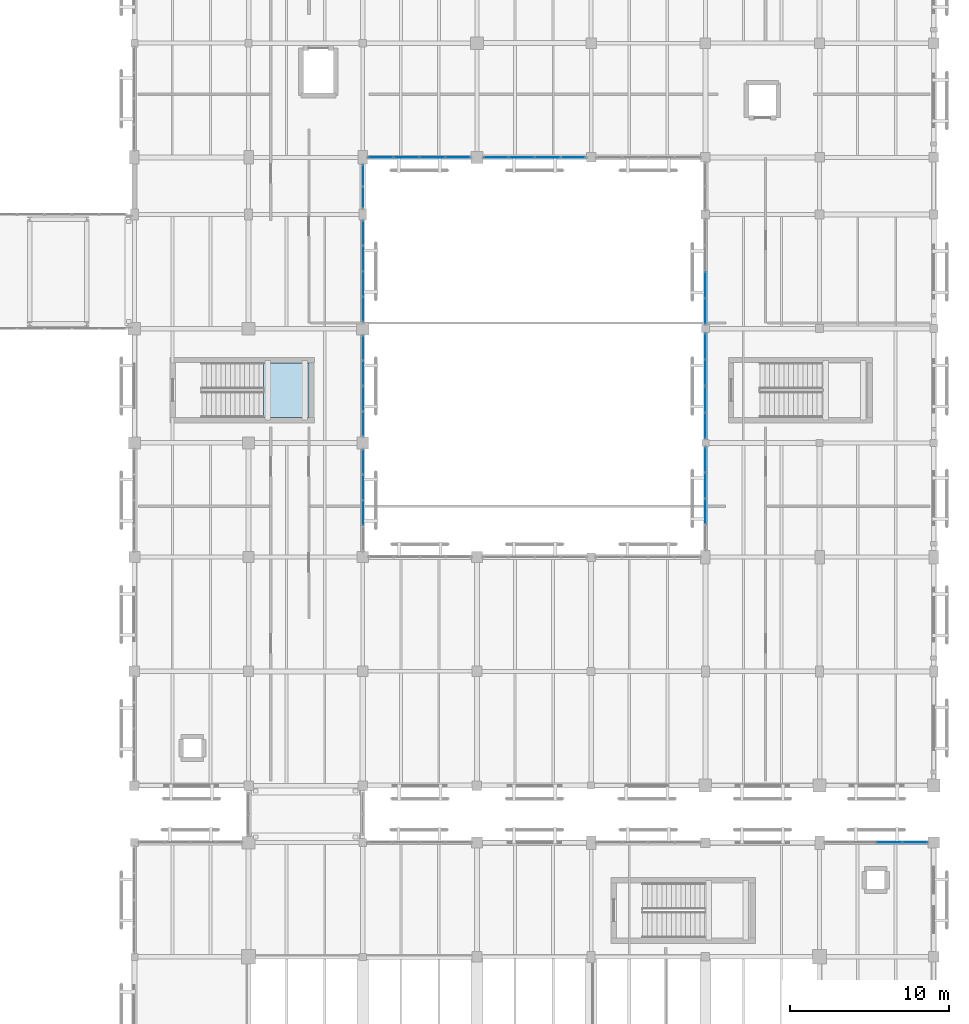
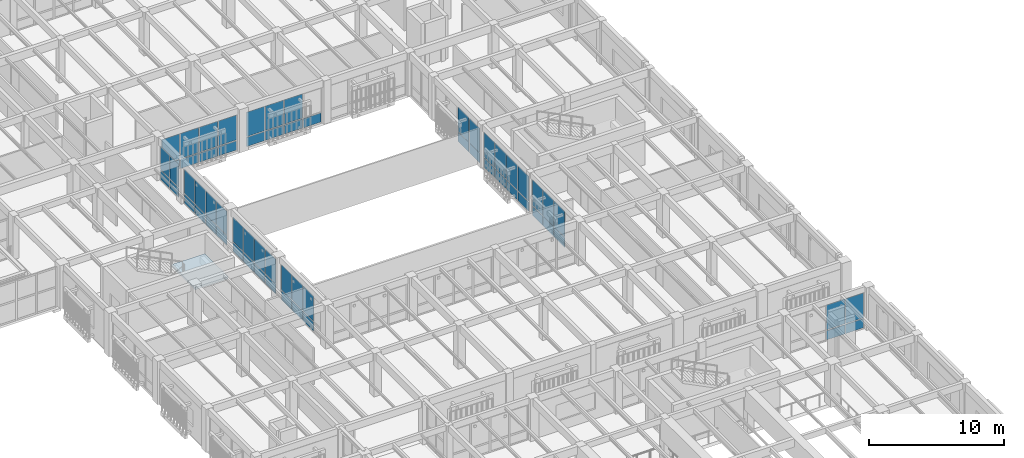
# One storey, part 126 of 170: 63 plates, 1 slab, 11 elements without a shape of their own.
"""IFC4 building model written with IfcOpenShell, lengths in metres."""

from ifc_helpers import new_model, si_unit, direction, frame, origin, origin_2d, place, context, subcontext, project, spatial, polyline, rectangle, outline, extrude, material, layer, layer_set, type_object, element, aggregate, save


model = new_model("IFC4")

# Units and contexts
model_context = context("Model", 3, precision=1e-05, world=origin(), true_north=direction((0.0, 1.0)))
body_context = subcontext(model_context, "Body", "Model", "MODEL_VIEW")
ifc_project = project(units=[si_unit("LENGTHUNIT", "METRE"), si_unit("AREAUNIT", "SQUARE_METRE"), si_unit("VOLUMEUNIT", "CUBIC_METRE"), si_unit("PLANEANGLEUNIT", "RADIAN"), si_unit("MASSUNIT", "GRAM", prefix="KILO")], contexts=[model_context])

# Site, building, storey
site_placement = place(None, origin())
site = spatial("IfcSite", under=ifc_project, at=site_placement, CompositionType="ELEMENT")
building_placement = place(site_placement, origin())
building = spatial("IfcBuilding", under=site, at=building_placement, Name="Mazaris Harbour Polytechnic", CompositionType="ELEMENT")
storey_placement = place(building_placement, frame((0.0, 0.0, 5.39990234375)))
storey = spatial("IfcBuildingStorey", under=building, at=storey_placement, Name="L01", CompositionType="ELEMENT", Elevation=5.39990234375)

# Curtain wall, plates
ifc_material_1 = material(Name="Anodised Bronze Aluminium and Low-E Glass", Category="aluminium")
ifc_layer_1 = layer(ifc_material_1, 0.159912109375, Name="Anodised Bronze Aluminium and Low-E Glass")
ifc_layer_set_1 = layer_set([ifc_layer_1], Name="Anodised Bronze Aluminium and Low-E Glass")
curtain_wall_type_1 = type_object("IfcCurtainWallType", Name="Cloister Court Curtain Wall", PredefinedType="NOTDEFINED", material=ifc_layer_set_1)
curtain_wall_1_placement = place(storey_placement, origin())
curtain_wall_1 = element("IfcCurtainWall", 1, at=curtain_wall_1_placement, inside=storey, type_object=curtain_wall_type_1, Name="V2 L01 Curtain Wall 46", PredefinedType="NOTDEFINED")
ifc_material_2 = material(Name="Low-E Double Glazing", Category="glass")
ifc_layer_2 = layer(ifc_material_2, 0.028076171875, Name="Low-E Double Glazing")
ifc_layer_set_2 = layer_set([ifc_layer_2], Name="Low-E Double Glazing")
plate_type_1 = type_object("IfcPlateType", Name="Low-E Vision Glass Panel 28", PredefinedType="CURTAIN_PANEL", material=ifc_layer_set_2)
plate_1_placement = place(storey_placement, frame((169.995849609375, 43.199951171875, 0.080078125), z_axis=(0.0, 0.0, 1.0), x_axis=(1.0, 0.0, 0.0)))
plate_1 = element("IfcPlate", 2, at=plate_1_placement, type_object=plate_type_1, Name="CW-02 panel 3.1", PredefinedType="CURTAIN_PANEL", context=body_context, shape_type="SweptSolid", body=[
    extrude(rectangle(XDim=1.5615234375, YDim=0.028076171875, at=origin_2d()), origin(), (0.0, 0.0, 1.0), 0.830078125),
])
plate_2_placement = place(storey_placement, frame((169.995849609375, 43.199951171875, 0.989990234375), z_axis=(0.0, 0.0, 1.0), x_axis=(1.0, 0.0, 0.0)))
plate_2 = element("IfcPlate", 3, at=plate_2_placement, type_object=plate_type_1, Name="CW-02 panel 3.2", PredefinedType="CURTAIN_PANEL", context=body_context, shape_type="SweptSolid", body=[
    extrude(rectangle(XDim=1.5615234375, YDim=0.028076171875, at=origin_2d()), origin(), (0.0, 0.0, 1.0), 2.25),
])
plate_3_placement = place(storey_placement, frame((171.6171875, 43.199951171875, 0.080078125), z_axis=(0.0, 0.0, 1.0), x_axis=(1.0, 0.0, 0.0)))
plate_3 = element("IfcPlate", 4, at=plate_3_placement, type_object=plate_type_1, Name="CW-02 panel 4.1", PredefinedType="CURTAIN_PANEL", context=body_context, shape_type="SweptSolid", body=[
    extrude(rectangle(XDim=1.521484375, YDim=0.028076171875, at=origin_2d()), origin(), (0.0, 0.0, 1.0), 0.830078125),
])
plate_4_placement = place(storey_placement, frame((171.6171875, 43.199951171875, 0.989990234375), z_axis=(0.0, 0.0, 1.0), x_axis=(1.0, 0.0, 0.0)))
plate_4 = element("IfcPlate", 5, at=plate_4_placement, type_object=plate_type_1, Name="CW-02 panel 4.2", PredefinedType="CURTAIN_PANEL", context=body_context, shape_type="SweptSolid", body=[
    extrude(rectangle(XDim=1.521484375, YDim=0.028076171875, at=origin_2d()), origin(), (0.0, 0.0, 1.0), 2.25),
])
aggregate(curtain_wall_1, [plate_1, plate_2, plate_3, plate_4])

# Stair, slab
ifc_material_3 = material(Name="Concrete C40/50", Category="concrete")
stair_type = type_object("IfcStairType", Name="Core Exit Stair H4200", PredefinedType="HALF_TURN_STAIR", material=ifc_material_3)
stair_placement = place(storey_placement, origin())
stair = element("IfcStair", 6, at=stair_placement, inside=storey, type_object=stair_type, Name="L01 ST09", PredefinedType="HALF_TURN_STAIR")
ifc_material_4 = material(Name="Concrete C40/50", Category="concrete")
ifc_layer_3 = layer(ifc_material_4, 0.199951171875, Name="Concrete C40/50")
ifc_layer_set_3 = layer_set([ifc_layer_3], Name="Concrete C40/50")
slab_type = type_object("IfcSlabType", Name="RC Stair Landing 200", PredefinedType="LANDING", material=ifc_layer_set_3)
slab_placement = place(storey_placement, frame((0.0, 0.0, 1.900146484375)))
slab = element("IfcSlab", 7, at=slab_placement, type_object=slab_type, Name="ST09 landing 1", PredefinedType="LANDING", context=body_context, shape_type="SweptSolid", body=[
    extrude(outline(polyline([(130.550048828125, 70.0), (133.39990234375, 70.0), (133.39990234375, 73.449951171875), (130.550048828125, 73.449951171875), (130.550048828125, 70.0)])), origin(), (0.0, 0.0, 1.0), 0.199951171875),
])
aggregate(stair, [slab])

# Curtain wall, plates
ifc_material_5 = material(Name="Anodised Bronze Aluminium and Low-E Glass", Category="aluminium")
ifc_layer_4 = layer(ifc_material_5, 0.169921875, Name="Anodised Bronze Aluminium and Low-E Glass")
ifc_layer_set_4 = layer_set([ifc_layer_4], Name="Anodised Bronze Aluminium and Low-E Glass")
curtain_wall_type_2 = type_object("IfcCurtainWallType", Name="Studio North-Light Curtain Wall", PredefinedType="NOTDEFINED", material=ifc_layer_set_4)
curtain_wall_2_placement = place(storey_placement, origin())
curtain_wall_2 = element("IfcCurtainWall", 8, at=curtain_wall_2_placement, inside=storey, type_object=curtain_wall_type_2, Name="V5 L01 Curtain Wall 216", PredefinedType="NOTDEFINED")
ifc_material_6 = material(Name="Solar-Control Low-E Glazing", Category="glass")
ifc_layer_5 = layer(ifc_material_6, 0.031982421875, Name="Solar-Control Low-E Glazing")
ifc_layer_set_5 = layer_set([ifc_layer_5], Name="Solar-Control Low-E Glazing")
plate_type_2 = type_object("IfcPlateType", Name="Solar Control Studio Glass Panel 32", PredefinedType="CURTAIN_PANEL", material=ifc_layer_set_5)
plate_5_placement = place(storey_placement, frame((142.79541015625, 86.39990234375, 0.080078125), z_axis=(0.0, 0.0, 1.0), x_axis=(-1.0, 0.0, 0.0)))
plate_5 = element("IfcPlate", 9, at=plate_5_placement, type_object=plate_type_2, Name="CW-03 panel 1.1", PredefinedType="CURTAIN_PANEL", context=body_context, shape_type="SweptSolid", body=[
    extrude(rectangle(XDim=1.51513671875, YDim=0.031982421875, at=origin_2d()), origin(), (0.0, 0.0, 1.0), 0.830078125),
])
plate_6_placement = place(storey_placement, frame((142.79541015625, 86.39990234375, 0.990234375), z_axis=(0.0, 0.0, 1.0), x_axis=(-1.0, 0.0, 0.0)))
plate_6 = element("IfcPlate", 10, at=plate_6_placement, type_object=plate_type_2, Name="CW-03 panel 1.2", PredefinedType="CURTAIN_PANEL", context=body_context, shape_type="SweptSolid", body=[
    extrude(rectangle(XDim=1.51513671875, YDim=0.031982421875, at=origin_2d()), origin(), (0.0, 0.0, 1.0), 2.260009765625),
])
plate_7_placement = place(storey_placement, frame((141.18017578125, 86.39990234375, 0.080078125), z_axis=(0.0, 0.0, 1.0), x_axis=(-1.0, 0.0, 0.0)))
plate_7 = element("IfcPlate", 11, at=plate_7_placement, type_object=plate_type_2, Name="CW-03 panel 2.1", PredefinedType="CURTAIN_PANEL", context=body_context, shape_type="SweptSolid", body=[
    extrude(rectangle(XDim=1.55517578125, YDim=0.031982421875, at=origin_2d()), origin(), (0.0, 0.0, 1.0), 0.830078125),
])
plate_8_placement = place(storey_placement, frame((141.18017578125, 86.39990234375, 0.990234375), z_axis=(0.0, 0.0, 1.0), x_axis=(-1.0, 0.0, 0.0)))
plate_8 = element("IfcPlate", 12, at=plate_8_placement, type_object=plate_type_2, Name="CW-03 panel 2.2", PredefinedType="CURTAIN_PANEL", context=body_context, shape_type="SweptSolid", body=[
    extrude(rectangle(XDim=1.55517578125, YDim=0.031982421875, at=origin_2d()), origin(), (0.0, 0.0, 1.0), 2.260009765625),
])
plate_9_placement = place(storey_placement, frame((139.544921875, 86.39990234375, 0.080078125), z_axis=(0.0, 0.0, 1.0), x_axis=(-1.0, 0.0, 0.0)))
plate_9 = element("IfcPlate", 13, at=plate_9_placement, type_object=plate_type_2, Name="CW-03 panel 3.1", PredefinedType="CURTAIN_PANEL", context=body_context, shape_type="SweptSolid", body=[
    extrude(rectangle(XDim=1.55517578125, YDim=0.031982421875, at=origin_2d()), origin(), (0.0, 0.0, 1.0), 0.830078125),
])
plate_10_placement = place(storey_placement, frame((139.544921875, 86.39990234375, 0.990234375), z_axis=(0.0, 0.0, 1.0), x_axis=(-1.0, 0.0, 0.0)))
plate_10 = element("IfcPlate", 14, at=plate_10_placement, type_object=plate_type_2, Name="CW-03 panel 3.2", PredefinedType="CURTAIN_PANEL", context=body_context, shape_type="SweptSolid", body=[
    extrude(rectangle(XDim=1.55517578125, YDim=0.031982421875, at=origin_2d()), origin(), (0.0, 0.0, 1.0), 2.260009765625),
])
plate_11_placement = place(storey_placement, frame((137.9296875, 86.39990234375, 0.080078125), z_axis=(0.0, 0.0, 1.0), x_axis=(-1.0, 0.0, 0.0)))
plate_11 = element("IfcPlate", 15, at=plate_11_placement, type_object=plate_type_2, Name="CW-03 panel 4.1", PredefinedType="CURTAIN_PANEL", context=body_context, shape_type="SweptSolid", body=[
    extrude(rectangle(XDim=1.51513671875, YDim=0.031982421875, at=origin_2d()), origin(), (0.0, 0.0, 1.0), 0.830078125),
])
plate_12_placement = place(storey_placement, frame((137.9296875, 86.39990234375, 0.990234375), z_axis=(0.0, 0.0, 1.0), x_axis=(-1.0, 0.0, 0.0)))
plate_12 = element("IfcPlate", 16, at=plate_12_placement, type_object=plate_type_2, Name="CW-03 panel 4.2", PredefinedType="CURTAIN_PANEL", context=body_context, shape_type="SweptSolid", body=[
    extrude(rectangle(XDim=1.51513671875, YDim=0.031982421875, at=origin_2d()), origin(), (0.0, 0.0, 1.0), 2.260009765625),
])
aggregate(curtain_wall_2, [plate_5, plate_6, plate_7, plate_8, plate_9, plate_10, plate_11, plate_12])

curtain_wall_3_placement = place(storey_placement, origin())
curtain_wall_3 = element("IfcCurtainWall", 17, at=curtain_wall_3_placement, inside=storey, type_object=curtain_wall_type_2, Name="V5 L01 Curtain Wall 217", PredefinedType="NOTDEFINED")
plate_13_placement = place(storey_placement, frame((150.0703125, 86.39990234375, 0.080078125), z_axis=(0.0, 0.0, 1.0), x_axis=(-1.0, 0.0, 0.0)))
plate_13 = element("IfcPlate", 18, at=plate_13_placement, type_object=plate_type_2, Name="CW-03 panel 1.1", PredefinedType="CURTAIN_PANEL", context=body_context, shape_type="SweptSolid", body=[
    extrude(rectangle(XDim=1.51513671875, YDim=0.031982421875, at=origin_2d()), origin(), (0.0, 0.0, 1.0), 0.830078125),
])
plate_14_placement = place(storey_placement, frame((148.455078125, 86.39990234375, 0.080078125), z_axis=(0.0, 0.0, 1.0), x_axis=(-1.0, 0.0, 0.0)))
plate_14 = element("IfcPlate", 19, at=plate_14_placement, type_object=plate_type_2, Name="CW-03 panel 2.1", PredefinedType="CURTAIN_PANEL", context=body_context, shape_type="SweptSolid", body=[
    extrude(rectangle(XDim=1.55517578125, YDim=0.031982421875, at=origin_2d()), origin(), (0.0, 0.0, 1.0), 0.830078125),
])
plate_15_placement = place(storey_placement, frame((148.455078125, 86.39990234375, 0.990234375), z_axis=(0.0, 0.0, 1.0), x_axis=(-1.0, 0.0, 0.0)))
plate_15 = element("IfcPlate", 20, at=plate_15_placement, type_object=plate_type_2, Name="CW-03 panel 2.2", PredefinedType="CURTAIN_PANEL", context=body_context, shape_type="SweptSolid", body=[
    extrude(rectangle(XDim=1.55517578125, YDim=0.031982421875, at=origin_2d()), origin(), (0.0, 0.0, 1.0), 2.199951171875),
])
plate_16_placement = place(storey_placement, frame((146.81982421875, 86.39990234375, 0.080078125), z_axis=(0.0, 0.0, 1.0), x_axis=(-1.0, 0.0, 0.0)))
plate_16 = element("IfcPlate", 21, at=plate_16_placement, type_object=plate_type_2, Name="CW-03 panel 3.1", PredefinedType="CURTAIN_PANEL", context=body_context, shape_type="SweptSolid", body=[
    extrude(rectangle(XDim=1.55517578125, YDim=0.031982421875, at=origin_2d()), origin(), (0.0, 0.0, 1.0), 0.830078125),
])
plate_17_placement = place(storey_placement, frame((146.81982421875, 86.39990234375, 0.990234375), z_axis=(0.0, 0.0, 1.0), x_axis=(-1.0, 0.0, 0.0)))
plate_17 = element("IfcPlate", 22, at=plate_17_placement, type_object=plate_type_2, Name="CW-03 panel 3.2", PredefinedType="CURTAIN_PANEL", context=body_context, shape_type="SweptSolid", body=[
    extrude(rectangle(XDim=1.55517578125, YDim=0.031982421875, at=origin_2d()), origin(), (0.0, 0.0, 1.0), 2.199951171875),
])
plate_18_placement = place(storey_placement, frame((145.20458984375, 86.39990234375, 0.080078125), z_axis=(0.0, 0.0, 1.0), x_axis=(-1.0, 0.0, 0.0)))
plate_18 = element("IfcPlate", 23, at=plate_18_placement, type_object=plate_type_2, Name="CW-03 panel 4.1", PredefinedType="CURTAIN_PANEL", context=body_context, shape_type="SweptSolid", body=[
    extrude(rectangle(XDim=1.51513671875, YDim=0.031982421875, at=origin_2d()), origin(), (0.0, 0.0, 1.0), 0.830078125),
])
plate_19_placement = place(storey_placement, frame((145.20458984375, 86.39990234375, 0.990234375), z_axis=(0.0, 0.0, 1.0), x_axis=(-1.0, 0.0, 0.0)))
plate_19 = element("IfcPlate", 24, at=plate_19_placement, type_object=plate_type_2, Name="CW-03 panel 4.2", PredefinedType="CURTAIN_PANEL", context=body_context, shape_type="SweptSolid", body=[
    extrude(rectangle(XDim=1.51513671875, YDim=0.031982421875, at=origin_2d()), origin(), (0.0, 0.0, 1.0), 2.199951171875),
])
aggregate(curtain_wall_3, [plate_13, plate_14, plate_15, plate_16, plate_17, plate_18, plate_19])

curtain_wall_4_placement = place(storey_placement, origin())
curtain_wall_4 = element("IfcCurtainWall", 25, at=curtain_wall_4_placement, inside=storey, type_object=curtain_wall_type_2, Name="V5 L01 Curtain Wall 219", PredefinedType="NOTDEFINED")
plate_20_placement = place(storey_placement, frame((136.800048828125, 63.97607421875, 0.080078125), z_axis=(0.0, 0.0, 1.0), x_axis=(0.0, 1.0, 0.0)))
plate_20 = element("IfcPlate", 26, at=plate_20_placement, type_object=plate_type_2, Name="CW-03 panel 2.1", PredefinedType="CURTAIN_PANEL", context=body_context, shape_type="SweptSolid", body=[
    extrude(rectangle(XDim=1.542724609375, YDim=0.031982421875, at=origin_2d()), origin(), (0.0, 0.0, 1.0), 0.830078125),
])
plate_21_placement = place(storey_placement, frame((136.800048828125, 63.97607421875, 0.990234375), z_axis=(0.0, 0.0, 1.0), x_axis=(0.0, 1.0, 0.0)))
plate_21 = element("IfcPlate", 27, at=plate_21_placement, type_object=plate_type_2, Name="CW-03 panel 2.2", PredefinedType="CURTAIN_PANEL", context=body_context, shape_type="SweptSolid", body=[
    extrude(rectangle(XDim=1.542724609375, YDim=0.031982421875, at=origin_2d()), origin(), (0.0, 0.0, 1.0), 2.260009765625),
])
plate_22_placement = place(storey_placement, frame((136.800048828125, 65.598876953125, 0.080078125), z_axis=(0.0, 0.0, 1.0), x_axis=(0.0, 1.0, 0.0)))
plate_22 = element("IfcPlate", 28, at=plate_22_placement, type_object=plate_type_2, Name="CW-03 panel 3.1", PredefinedType="CURTAIN_PANEL", context=body_context, shape_type="SweptSolid", body=[
    extrude(rectangle(XDim=1.542724609375, YDim=0.031982421875, at=origin_2d()), origin(), (0.0, 0.0, 1.0), 0.830078125),
])
plate_23_placement = place(storey_placement, frame((136.800048828125, 65.598876953125, 0.990234375), z_axis=(0.0, 0.0, 1.0), x_axis=(0.0, 1.0, 0.0)))
plate_23 = element("IfcPlate", 29, at=plate_23_placement, type_object=plate_type_2, Name="CW-03 panel 3.2", PredefinedType="CURTAIN_PANEL", context=body_context, shape_type="SweptSolid", body=[
    extrude(rectangle(XDim=1.542724609375, YDim=0.031982421875, at=origin_2d()), origin(), (0.0, 0.0, 1.0), 2.260009765625),
])
plate_24_placement = place(storey_placement, frame((136.800048828125, 67.20166015625, 0.080078125), z_axis=(0.0, 0.0, 1.0), x_axis=(0.0, 1.0, 0.0)))
plate_24 = element("IfcPlate", 30, at=plate_24_placement, type_object=plate_type_2, Name="CW-03 panel 4.1", PredefinedType="CURTAIN_PANEL", context=body_context, shape_type="SweptSolid", body=[
    extrude(rectangle(XDim=1.502685546875, YDim=0.031982421875, at=origin_2d()), origin(), (0.0, 0.0, 1.0), 0.830078125),
])
plate_25_placement = place(storey_placement, frame((136.800048828125, 67.20166015625, 0.990234375), z_axis=(0.0, 0.0, 1.0), x_axis=(0.0, 1.0, 0.0)))
plate_25 = element("IfcPlate", 31, at=plate_25_placement, type_object=plate_type_2, Name="CW-03 panel 4.2", PredefinedType="CURTAIN_PANEL", context=body_context, shape_type="SweptSolid", body=[
    extrude(rectangle(XDim=1.502685546875, YDim=0.031982421875, at=origin_2d()), origin(), (0.0, 0.0, 1.0), 2.260009765625),
])
aggregate(curtain_wall_4, [plate_20, plate_21, plate_22, plate_23, plate_24, plate_25])

curtain_wall_5_placement = place(storey_placement, origin())
curtain_wall_5 = element("IfcCurtainWall", 32, at=curtain_wall_5_placement, inside=storey, type_object=curtain_wall_type_2, Name="V5 L01 Curtain Wall 220", PredefinedType="NOTDEFINED")
plate_26_placement = place(storey_placement, frame((136.800048828125, 69.592041015625, 0.080078125), z_axis=(0.0, 0.0, 1.0), x_axis=(0.0, 1.0, 0.0)))
plate_26 = element("IfcPlate", 33, at=plate_26_placement, type_object=plate_type_2, Name="CW-03 panel 1.1", PredefinedType="CURTAIN_PANEL", context=body_context, shape_type="SweptSolid", body=[
    extrude(rectangle(XDim=1.490234375, YDim=0.031982421875, at=origin_2d()), origin(), (0.0, 0.0, 1.0), 0.830078125),
])
plate_27_placement = place(storey_placement, frame((136.800048828125, 69.592041015625, 0.990234375), z_axis=(0.0, 0.0, 1.0), x_axis=(0.0, 1.0, 0.0)))
plate_27 = element("IfcPlate", 34, at=plate_27_placement, type_object=plate_type_2, Name="CW-03 panel 1.2", PredefinedType="CURTAIN_PANEL", context=body_context, shape_type="SweptSolid", body=[
    extrude(rectangle(XDim=1.490234375, YDim=0.031982421875, at=origin_2d()), origin(), (0.0, 0.0, 1.0), 2.199951171875),
])
plate_28_placement = place(storey_placement, frame((136.800048828125, 71.182373046875, 0.080078125), z_axis=(0.0, 0.0, 1.0), x_axis=(0.0, 1.0, 0.0)))
plate_28 = element("IfcPlate", 35, at=plate_28_placement, type_object=plate_type_2, Name="CW-03 panel 2.1", PredefinedType="CURTAIN_PANEL", context=body_context, shape_type="SweptSolid", body=[
    extrude(rectangle(XDim=1.5302734375, YDim=0.031982421875, at=origin_2d()), origin(), (0.0, 0.0, 1.0), 0.830078125),
])
plate_29_placement = place(storey_placement, frame((136.800048828125, 71.182373046875, 0.990234375), z_axis=(0.0, 0.0, 1.0), x_axis=(0.0, 1.0, 0.0)))
plate_29 = element("IfcPlate", 36, at=plate_29_placement, type_object=plate_type_2, Name="CW-03 panel 2.2", PredefinedType="CURTAIN_PANEL", context=body_context, shape_type="SweptSolid", body=[
    extrude(rectangle(XDim=1.5302734375, YDim=0.031982421875, at=origin_2d()), origin(), (0.0, 0.0, 1.0), 2.199951171875),
])
plate_30_placement = place(storey_placement, frame((136.800048828125, 72.792724609375, 0.080078125), z_axis=(0.0, 0.0, 1.0), x_axis=(0.0, 1.0, 0.0)))
plate_30 = element("IfcPlate", 37, at=plate_30_placement, type_object=plate_type_2, Name="CW-03 panel 3.1", PredefinedType="CURTAIN_PANEL", context=body_context, shape_type="SweptSolid", body=[
    extrude(rectangle(XDim=1.5302734375, YDim=0.031982421875, at=origin_2d()), origin(), (0.0, 0.0, 1.0), 0.830078125),
])
plate_31_placement = place(storey_placement, frame((136.800048828125, 72.792724609375, 0.990234375), z_axis=(0.0, 0.0, 1.0), x_axis=(0.0, 1.0, 0.0)))
plate_31 = element("IfcPlate", 38, at=plate_31_placement, type_object=plate_type_2, Name="CW-03 panel 3.2", PredefinedType="CURTAIN_PANEL", context=body_context, shape_type="SweptSolid", body=[
    extrude(rectangle(XDim=1.5302734375, YDim=0.031982421875, at=origin_2d()), origin(), (0.0, 0.0, 1.0), 2.199951171875),
])
plate_32_placement = place(storey_placement, frame((136.800048828125, 74.3828125, 0.080078125), z_axis=(0.0, 0.0, 1.0), x_axis=(0.0, 1.0, 0.0)))
plate_32 = element("IfcPlate", 39, at=plate_32_placement, type_object=plate_type_2, Name="CW-03 panel 4.1", PredefinedType="CURTAIN_PANEL", context=body_context, shape_type="SweptSolid", body=[
    extrude(rectangle(XDim=1.490234375, YDim=0.031982421875, at=origin_2d()), origin(), (0.0, 0.0, 1.0), 0.830078125),
])
plate_33_placement = place(storey_placement, frame((136.800048828125, 74.3828125, 0.990234375), z_axis=(0.0, 0.0, 1.0), x_axis=(0.0, 1.0, 0.0)))
plate_33 = element("IfcPlate", 40, at=plate_33_placement, type_object=plate_type_2, Name="CW-03 panel 4.2", PredefinedType="CURTAIN_PANEL", context=body_context, shape_type="SweptSolid", body=[
    extrude(rectangle(XDim=1.490234375, YDim=0.031982421875, at=origin_2d()), origin(), (0.0, 0.0, 1.0), 2.199951171875),
])
aggregate(curtain_wall_5, [plate_26, plate_27, plate_28, plate_29, plate_30, plate_31, plate_32, plate_33])

curtain_wall_6_placement = place(storey_placement, origin())
curtain_wall_6 = element("IfcCurtainWall", 41, at=curtain_wall_6_placement, inside=storey, type_object=curtain_wall_type_2, Name="V5 L01 Curtain Wall 221", PredefinedType="NOTDEFINED")
plate_34_placement = place(storey_placement, frame((136.800048828125, 76.8203125, 0.080078125), z_axis=(0.0, 0.0, 1.0), x_axis=(0.0, 1.0, 0.0)))
plate_34 = element("IfcPlate", 42, at=plate_34_placement, type_object=plate_type_2, Name="CW-03 panel 1.1", PredefinedType="CURTAIN_PANEL", context=body_context, shape_type="SweptSolid", body=[
    extrude(rectangle(XDim=1.49658203125, YDim=0.031982421875, at=origin_2d()), origin(), (0.0, 0.0, 1.0), 0.830078125),
])
plate_35_placement = place(storey_placement, frame((136.800048828125, 76.8203125, 0.990234375), z_axis=(0.0, 0.0, 1.0), x_axis=(0.0, 1.0, 0.0)))
plate_35 = element("IfcPlate", 43, at=plate_35_placement, type_object=plate_type_2, Name="CW-03 panel 1.2", PredefinedType="CURTAIN_PANEL", context=body_context, shape_type="SweptSolid", body=[
    extrude(rectangle(XDim=1.49658203125, YDim=0.031982421875, at=origin_2d()), origin(), (0.0, 0.0, 1.0), 2.159912109375),
])
plate_36_placement = place(storey_placement, frame((136.800048828125, 78.416748046875, 0.080078125), z_axis=(0.0, 0.0, 1.0), x_axis=(0.0, 1.0, 0.0)))
plate_36 = element("IfcPlate", 44, at=plate_36_placement, type_object=plate_type_2, Name="CW-03 panel 2.1", PredefinedType="CURTAIN_PANEL", context=body_context, shape_type="SweptSolid", body=[
    extrude(rectangle(XDim=1.53662109375, YDim=0.031982421875, at=origin_2d()), origin(), (0.0, 0.0, 1.0), 0.830078125),
])
plate_37_placement = place(storey_placement, frame((136.800048828125, 78.416748046875, 0.990234375), z_axis=(0.0, 0.0, 1.0), x_axis=(0.0, 1.0, 0.0)))
plate_37 = element("IfcPlate", 45, at=plate_37_placement, type_object=plate_type_2, Name="CW-03 panel 2.2", PredefinedType="CURTAIN_PANEL", context=body_context, shape_type="SweptSolid", body=[
    extrude(rectangle(XDim=1.53662109375, YDim=0.031982421875, at=origin_2d()), origin(), (0.0, 0.0, 1.0), 2.159912109375),
])
plate_38_placement = place(storey_placement, frame((136.800048828125, 80.033203125, 0.080078125), z_axis=(0.0, 0.0, 1.0), x_axis=(0.0, 1.0, 0.0)))
plate_38 = element("IfcPlate", 46, at=plate_38_placement, type_object=plate_type_2, Name="CW-03 panel 3.1", PredefinedType="CURTAIN_PANEL", context=body_context, shape_type="SweptSolid", body=[
    extrude(rectangle(XDim=1.53662109375, YDim=0.031982421875, at=origin_2d()), origin(), (0.0, 0.0, 1.0), 0.830078125),
])
plate_39_placement = place(storey_placement, frame((136.800048828125, 80.033203125, 0.990234375), z_axis=(0.0, 0.0, 1.0), x_axis=(0.0, 1.0, 0.0)))
plate_39 = element("IfcPlate", 47, at=plate_39_placement, type_object=plate_type_2, Name="CW-03 panel 3.2", PredefinedType="CURTAIN_PANEL", context=body_context, shape_type="SweptSolid", body=[
    extrude(rectangle(XDim=1.53662109375, YDim=0.031982421875, at=origin_2d()), origin(), (0.0, 0.0, 1.0), 2.159912109375),
])
plate_40_placement = place(storey_placement, frame((136.800048828125, 81.629638671875, 0.080078125), z_axis=(0.0, 0.0, 1.0), x_axis=(0.0, 1.0, 0.0)))
plate_40 = element("IfcPlate", 48, at=plate_40_placement, type_object=plate_type_2, Name="CW-03 panel 4.1", PredefinedType="CURTAIN_PANEL", context=body_context, shape_type="SweptSolid", body=[
    extrude(rectangle(XDim=1.49658203125, YDim=0.031982421875, at=origin_2d()), origin(), (0.0, 0.0, 1.0), 0.830078125),
])
plate_41_placement = place(storey_placement, frame((136.800048828125, 81.629638671875, 0.990234375), z_axis=(0.0, 0.0, 1.0), x_axis=(0.0, 1.0, 0.0)))
plate_41 = element("IfcPlate", 49, at=plate_41_placement, type_object=plate_type_2, Name="CW-03 panel 4.2", PredefinedType="CURTAIN_PANEL", context=body_context, shape_type="SweptSolid", body=[
    extrude(rectangle(XDim=1.49658203125, YDim=0.031982421875, at=origin_2d()), origin(), (0.0, 0.0, 1.0), 2.159912109375),
])
aggregate(curtain_wall_6, [plate_34, plate_35, plate_36, plate_37, plate_38, plate_39, plate_40, plate_41])

curtain_wall_7_placement = place(storey_placement, origin())
curtain_wall_7 = element("IfcCurtainWall", 50, at=curtain_wall_7_placement, inside=storey, type_object=curtain_wall_type_2, Name="V5 L01 Curtain Wall 222", PredefinedType="NOTDEFINED")
plate_42_placement = place(storey_placement, frame((136.800048828125, 83.872314453125, 0.080078125), z_axis=(0.0, 0.0, 1.0), x_axis=(0.0, 1.0, 0.0)))
plate_42 = element("IfcPlate", 51, at=plate_42_placement, type_object=plate_type_2, Name="CW-03 panel 1.1", PredefinedType="CURTAIN_PANEL", context=body_context, shape_type="SweptSolid", body=[
    extrude(rectangle(XDim=1.300537109375, YDim=0.031982421875, at=origin_2d()), origin(), (0.0, 0.0, 1.0), 0.830078125),
])
plate_43_placement = place(storey_placement, frame((136.800048828125, 83.872314453125, 0.989990234375), z_axis=(0.0, 0.0, 1.0), x_axis=(0.0, 1.0, 0.0)))
plate_43 = element("IfcPlate", 52, at=plate_43_placement, type_object=plate_type_2, Name="CW-03 panel 1.2", PredefinedType="CURTAIN_PANEL", context=body_context, shape_type="SweptSolid", body=[
    extrude(rectangle(XDim=1.300537109375, YDim=0.031982421875, at=origin_2d()), origin(), (0.0, 0.0, 1.0), 2.10009765625),
])
plate_44_placement = place(storey_placement, frame((136.800048828125, 85.252685546875, 0.080078125), z_axis=(0.0, 0.0, 1.0), x_axis=(0.0, 1.0, 0.0)))
plate_44 = element("IfcPlate", 53, at=plate_44_placement, type_object=plate_type_2, Name="CW-03 panel 2.1", PredefinedType="CURTAIN_PANEL", context=body_context, shape_type="SweptSolid", body=[
    extrude(rectangle(XDim=1.300537109375, YDim=0.031982421875, at=origin_2d()), origin(), (0.0, 0.0, 1.0), 0.830078125),
])
plate_45_placement = place(storey_placement, frame((136.800048828125, 85.252685546875, 0.989990234375), z_axis=(0.0, 0.0, 1.0), x_axis=(0.0, 1.0, 0.0)))
plate_45 = element("IfcPlate", 54, at=plate_45_placement, type_object=plate_type_2, Name="CW-03 panel 2.2", PredefinedType="CURTAIN_PANEL", context=body_context, shape_type="SweptSolid", body=[
    extrude(rectangle(XDim=1.300537109375, YDim=0.031982421875, at=origin_2d()), origin(), (0.0, 0.0, 1.0), 2.10009765625),
])
aggregate(curtain_wall_7, [plate_42, plate_43, plate_44, plate_45])

curtain_wall_8_placement = place(storey_placement, origin())
curtain_wall_8 = element("IfcCurtainWall", 55, at=curtain_wall_8_placement, inside=storey, type_object=curtain_wall_type_2, Name="V5 L01 Curtain Wall 223", PredefinedType="NOTDEFINED")
plate_46_placement = place(storey_placement, frame((158.39990234375, 67.34228515625, 0.080078125), z_axis=(0.0, 0.0, 1.0), x_axis=(0.0, -1.0, 0.0)))
plate_46 = element("IfcPlate", 56, at=plate_46_placement, type_object=plate_type_2, Name="CW-03 panel 1.1", PredefinedType="CURTAIN_PANEL", context=body_context, shape_type="SweptSolid", body=[
    extrude(rectangle(XDim=1.521484375, YDim=0.031982421875, at=origin_2d()), origin(), (0.0, 0.0, 1.0), 0.830078125),
])
plate_47_placement = place(storey_placement, frame((158.39990234375, 67.34228515625, 0.990234375), z_axis=(0.0, 0.0, 1.0), x_axis=(0.0, -1.0, 0.0)))
plate_47 = element("IfcPlate", 57, at=plate_47_placement, type_object=plate_type_2, Name="CW-03 panel 1.2", PredefinedType="CURTAIN_PANEL", context=body_context, shape_type="SweptSolid", body=[
    extrude(rectangle(XDim=1.521484375, YDim=0.031982421875, at=origin_2d()), origin(), (0.0, 0.0, 1.0), 2.320068359375),
])
plate_48_placement = place(storey_placement, frame((158.39990234375, 65.720703125, 0.080078125), z_axis=(0.0, 0.0, 1.0), x_axis=(0.0, -1.0, 0.0)))
plate_48 = element("IfcPlate", 58, at=plate_48_placement, type_object=plate_type_2, Name="CW-03 panel 2.1", PredefinedType="CURTAIN_PANEL", context=body_context, shape_type="SweptSolid", body=[
    extrude(rectangle(XDim=1.5615234375, YDim=0.031982421875, at=origin_2d()), origin(), (0.0, 0.0, 1.0), 0.830078125),
])
plate_49_placement = place(storey_placement, frame((158.39990234375, 65.720703125, 0.990234375), z_axis=(0.0, 0.0, 1.0), x_axis=(0.0, -1.0, 0.0)))
plate_49 = element("IfcPlate", 59, at=plate_49_placement, type_object=plate_type_2, Name="CW-03 panel 2.2", PredefinedType="CURTAIN_PANEL", context=body_context, shape_type="SweptSolid", body=[
    extrude(rectangle(XDim=1.5615234375, YDim=0.031982421875, at=origin_2d()), origin(), (0.0, 0.0, 1.0), 2.320068359375),
])
plate_50_placement = place(storey_placement, frame((158.39990234375, 64.079345703125, 0.080078125), z_axis=(0.0, 0.0, 1.0), x_axis=(0.0, -1.0, 0.0)))
plate_50 = element("IfcPlate", 60, at=plate_50_placement, type_object=plate_type_2, Name="CW-03 panel 3.1", PredefinedType="CURTAIN_PANEL", context=body_context, shape_type="SweptSolid", body=[
    extrude(rectangle(XDim=1.5615234375, YDim=0.031982421875, at=origin_2d()), origin(), (0.0, 0.0, 1.0), 0.830078125),
])
plate_51_placement = place(storey_placement, frame((158.39990234375, 64.079345703125, 0.990234375), z_axis=(0.0, 0.0, 1.0), x_axis=(0.0, -1.0, 0.0)))
plate_51 = element("IfcPlate", 61, at=plate_51_placement, type_object=plate_type_2, Name="CW-03 panel 3.2", PredefinedType="CURTAIN_PANEL", context=body_context, shape_type="SweptSolid", body=[
    extrude(rectangle(XDim=1.5615234375, YDim=0.031982421875, at=origin_2d()), origin(), (0.0, 0.0, 1.0), 2.320068359375),
])
aggregate(curtain_wall_8, [plate_46, plate_47, plate_48, plate_49, plate_50, plate_51])

curtain_wall_9_placement = place(storey_placement, origin())
curtain_wall_9 = element("IfcCurtainWall", 62, at=curtain_wall_9_placement, inside=storey, type_object=curtain_wall_type_2, Name="V5 L01 Curtain Wall 224", PredefinedType="NOTDEFINED")
plate_52_placement = place(storey_placement, frame((158.39990234375, 74.495361328125, 0.080078125), z_axis=(0.0, 0.0, 1.0), x_axis=(0.0, -1.0, 0.0)))
plate_52 = element("IfcPlate", 63, at=plate_52_placement, type_object=plate_type_2, Name="CW-03 panel 1.1", PredefinedType="CURTAIN_PANEL", context=body_context, shape_type="SweptSolid", body=[
    extrude(rectangle(XDim=1.565185546875, YDim=0.031982421875, at=origin_2d()), origin(), (0.0, 0.0, 1.0), 0.830078125),
])
plate_53_placement = place(storey_placement, frame((158.39990234375, 74.495361328125, 0.990234375), z_axis=(0.0, 0.0, 1.0), x_axis=(0.0, -1.0, 0.0)))
plate_53 = element("IfcPlate", 64, at=plate_53_placement, type_object=plate_type_2, Name="CW-03 panel 1.2", PredefinedType="CURTAIN_PANEL", context=body_context, shape_type="SweptSolid", body=[
    extrude(rectangle(XDim=1.565185546875, YDim=0.031982421875, at=origin_2d()), origin(), (0.0, 0.0, 1.0), 2.260009765625),
])
plate_54_placement = place(storey_placement, frame((158.39990234375, 72.830078125, 0.080078125), z_axis=(0.0, 0.0, 1.0), x_axis=(0.0, -1.0, 0.0)))
plate_54 = element("IfcPlate", 65, at=plate_54_placement, type_object=plate_type_2, Name="CW-03 panel 2.1", PredefinedType="CURTAIN_PANEL", context=body_context, shape_type="SweptSolid", body=[
    extrude(rectangle(XDim=1.605224609375, YDim=0.031982421875, at=origin_2d()), origin(), (0.0, 0.0, 1.0), 0.830078125),
])
plate_55_placement = place(storey_placement, frame((158.39990234375, 72.830078125, 0.990234375), z_axis=(0.0, 0.0, 1.0), x_axis=(0.0, -1.0, 0.0)))
plate_55 = element("IfcPlate", 66, at=plate_55_placement, type_object=plate_type_2, Name="CW-03 panel 2.2", PredefinedType="CURTAIN_PANEL", context=body_context, shape_type="SweptSolid", body=[
    extrude(rectangle(XDim=1.605224609375, YDim=0.031982421875, at=origin_2d()), origin(), (0.0, 0.0, 1.0), 2.260009765625),
])
plate_56_placement = place(storey_placement, frame((158.39990234375, 71.144775390625, 0.080078125), z_axis=(0.0, 0.0, 1.0), x_axis=(0.0, -1.0, 0.0)))
plate_56 = element("IfcPlate", 67, at=plate_56_placement, type_object=plate_type_2, Name="CW-03 panel 3.1", PredefinedType="CURTAIN_PANEL", context=body_context, shape_type="SweptSolid", body=[
    extrude(rectangle(XDim=1.605224609375, YDim=0.031982421875, at=origin_2d()), origin(), (0.0, 0.0, 1.0), 0.830078125),
])
plate_57_placement = place(storey_placement, frame((158.39990234375, 71.144775390625, 0.990234375), z_axis=(0.0, 0.0, 1.0), x_axis=(0.0, -1.0, 0.0)))
plate_57 = element("IfcPlate", 68, at=plate_57_placement, type_object=plate_type_2, Name="CW-03 panel 3.2", PredefinedType="CURTAIN_PANEL", context=body_context, shape_type="SweptSolid", body=[
    extrude(rectangle(XDim=1.605224609375, YDim=0.031982421875, at=origin_2d()), origin(), (0.0, 0.0, 1.0), 2.260009765625),
])
plate_58_placement = place(storey_placement, frame((158.39990234375, 69.479736328125, 0.080078125), z_axis=(0.0, 0.0, 1.0), x_axis=(0.0, -1.0, 0.0)))
plate_58 = element("IfcPlate", 69, at=plate_58_placement, type_object=plate_type_2, Name="CW-03 panel 4.1", PredefinedType="CURTAIN_PANEL", context=body_context, shape_type="SweptSolid", body=[
    extrude(rectangle(XDim=1.565185546875, YDim=0.031982421875, at=origin_2d()), origin(), (0.0, 0.0, 1.0), 0.830078125),
])
plate_59_placement = place(storey_placement, frame((158.39990234375, 69.479736328125, 0.990234375), z_axis=(0.0, 0.0, 1.0), x_axis=(0.0, -1.0, 0.0)))
plate_59 = element("IfcPlate", 70, at=plate_59_placement, type_object=plate_type_2, Name="CW-03 panel 4.2", PredefinedType="CURTAIN_PANEL", context=body_context, shape_type="SweptSolid", body=[
    extrude(rectangle(XDim=1.565185546875, YDim=0.031982421875, at=origin_2d()), origin(), (0.0, 0.0, 1.0), 2.260009765625),
])
aggregate(curtain_wall_9, [plate_52, plate_53, plate_54, plate_55, plate_56, plate_57, plate_58, plate_59])

curtain_wall_10_placement = place(storey_placement, origin())
curtain_wall_10 = element("IfcCurtainWall", 71, at=curtain_wall_10_placement, inside=storey, type_object=curtain_wall_type_2, Name="V5 L01 Curtain Wall 225", PredefinedType="NOTDEFINED")
plate_60_placement = place(storey_placement, frame((158.39990234375, 78.35107421875, 0.080078125), z_axis=(0.0, 0.0, 1.0), x_axis=(0.0, -1.0, 0.0)))
plate_60 = element("IfcPlate", 72, at=plate_60_placement, type_object=plate_type_2, Name="CW-03 panel 3.1", PredefinedType="CURTAIN_PANEL", context=body_context, shape_type="SweptSolid", body=[
    extrude(rectangle(XDim=1.5927734375, YDim=0.031982421875, at=origin_2d()), origin(), (0.0, 0.0, 1.0), 0.830078125),
])
plate_61_placement = place(storey_placement, frame((158.39990234375, 78.35107421875, 0.990234375), z_axis=(0.0, 0.0, 1.0), x_axis=(0.0, -1.0, 0.0)))
plate_61 = element("IfcPlate", 73, at=plate_61_placement, type_object=plate_type_2, Name="CW-03 panel 3.2", PredefinedType="CURTAIN_PANEL", context=body_context, shape_type="SweptSolid", body=[
    extrude(rectangle(XDim=1.5927734375, YDim=0.031982421875, at=origin_2d()), origin(), (0.0, 0.0, 1.0), 2.199951171875),
])
plate_62_placement = place(storey_placement, frame((158.39990234375, 76.698486328125, 0.080078125), z_axis=(0.0, 0.0, 1.0), x_axis=(0.0, -1.0, 0.0)))
plate_62 = element("IfcPlate", 74, at=plate_62_placement, type_object=plate_type_2, Name="CW-03 panel 4.1", PredefinedType="CURTAIN_PANEL", context=body_context, shape_type="SweptSolid", body=[
    extrude(rectangle(XDim=1.552734375, YDim=0.031982421875, at=origin_2d()), origin(), (0.0, 0.0, 1.0), 0.830078125),
])
plate_63_placement = place(storey_placement, frame((158.39990234375, 76.698486328125, 0.990234375), z_axis=(0.0, 0.0, 1.0), x_axis=(0.0, -1.0, 0.0)))
plate_63 = element("IfcPlate", 75, at=plate_63_placement, type_object=plate_type_2, Name="CW-03 panel 4.2", PredefinedType="CURTAIN_PANEL", context=body_context, shape_type="SweptSolid", body=[
    extrude(rectangle(XDim=1.552734375, YDim=0.031982421875, at=origin_2d()), origin(), (0.0, 0.0, 1.0), 2.199951171875),
])
aggregate(curtain_wall_10, [plate_60, plate_61, plate_62, plate_63])

save(model, "model.ifc")
